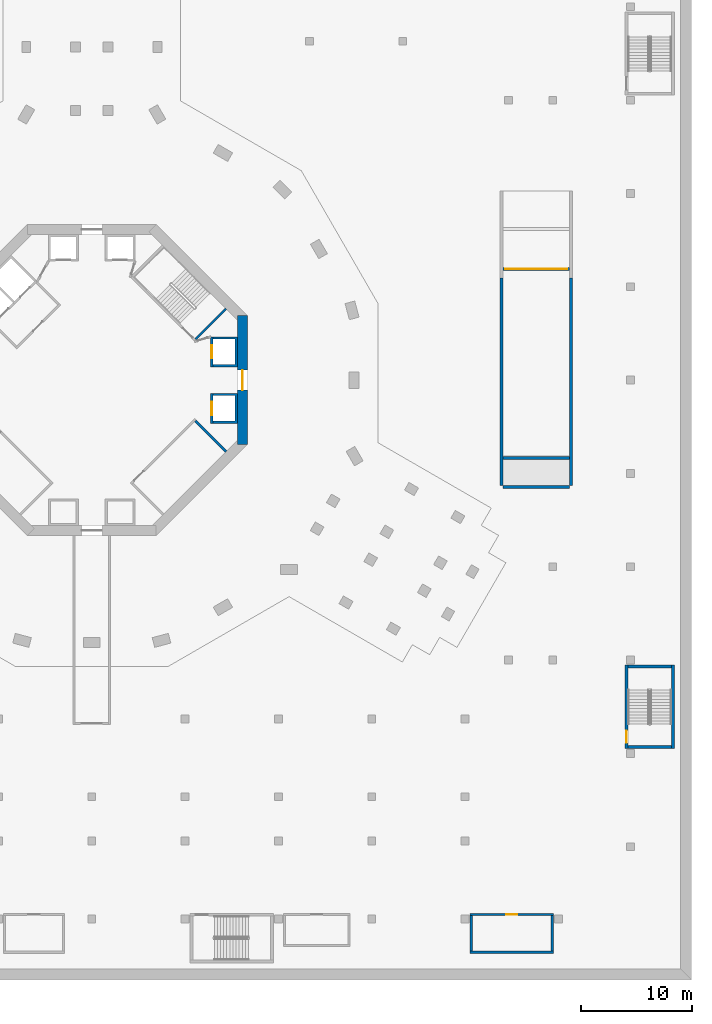
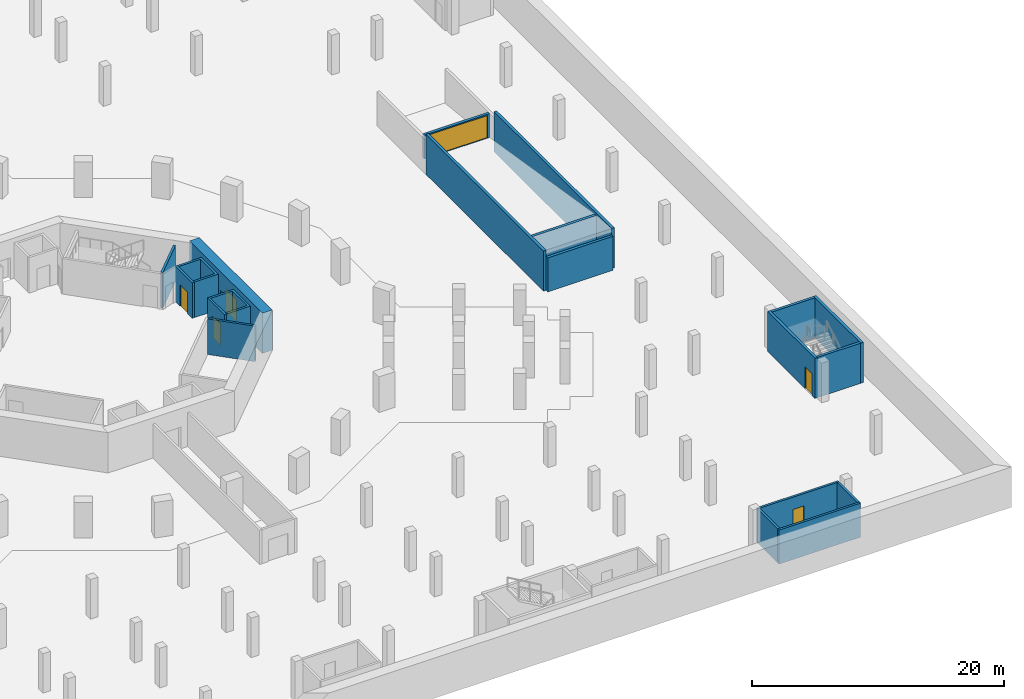
# One storey, part 8 of 25: 20 walls, 6 doors, 6 openings.
"""IFC4 building model written with IfcOpenShell, lengths in metres."""

from ifc_helpers import new_model, si_unit, direction, frame, frame_2d, origin, place, context, subcontext, project, spatial, polyline, rectangle, outline, extrude, material, layer, layer_set, type_object, element, fill, save


model = new_model("IFC4")

# Units and contexts
model_context = context("Model", 3, precision=1e-05, world=origin(), true_north=direction((0.0, 1.0)))
body_context = subcontext(model_context, "Body", "Model", "MODEL_VIEW")
ifc_project = project(units=[si_unit("LENGTHUNIT", "METRE"), si_unit("AREAUNIT", "SQUARE_METRE"), si_unit("VOLUMEUNIT", "CUBIC_METRE"), si_unit("PLANEANGLEUNIT", "RADIAN"), si_unit("MASSUNIT", "GRAM", prefix="KILO")], contexts=[model_context])

# Site, building, storey
site_placement = place(None, origin())
site = spatial("IfcSite", under=ifc_project, at=site_placement, CompositionType="ELEMENT")
building_placement = place(site_placement, origin())
building = spatial("IfcBuilding", under=site, at=building_placement, Name="Verdalira Terraces Hotel", CompositionType="ELEMENT")
storey_placement = place(building_placement, frame((0.0, 0.0, -3.899902)))
storey = spatial("IfcBuildingStorey", under=building, at=storey_placement, Name="B1", CompositionType="ELEMENT", Elevation=-3.89990234375)

# Wall
ifc_material_1 = material(Name="Concrete C50", Category="concrete")
ifc_layer_1 = layer(ifc_material_1, 0.199951171875)
ifc_layer_set_1 = layer_set([ifc_layer_1], Name="Core RC wall 200 C50")
wall_type_1 = type_object("IfcWallType", Name="Core RC wall 200 C50", PredefinedType="SOLIDWALL", material=ifc_layer_set_1)
wall_1_placement = place(storey_placement, origin())
element("IfcWall", 1, at=wall_1_placement, inside=storey, type_object=wall_type_1, Name="B1 shaft wall E1", PredefinedType="SOLIDWALL", context=body_context, shape_type="SweptSolid", body=[
    extrude(outline(polyline([(13.100098, -3.899902), (10.899902, -3.899902), (10.899902, -3.699951), (12.899902, -3.699951), (12.899902, -1.399902), (10.899902, -1.399902), (10.899902, -1.199951), (13.100098, -1.199951), (13.100098, -3.899902)])), origin(), (0.0, 0.0, 1.0), 3.449951),
])

# Wall, opening, door
wall_2_placement = place(storey_placement, frame((10.800049, -1.199951, 0.0), z_axis=(0.0, 0.0, 1.0), x_axis=(0.0, -1.0, 0.0)))
wall_2 = element("IfcWall", 2, at=wall_2_placement, inside=storey, type_object=wall_type_1, Name="B1 shaft front wall E1", PredefinedType="SOLIDWALL", context=body_context, shape_type="SweptSolid", body=[
    extrude(rectangle(XDim=2.699951, YDim=0.199951, at=frame_2d((1.350098, 0.0))), origin(), (0.0, 0.0, 1.0), 3.449951),
])
opening_1_placement = place(wall_2_placement, frame((0.75, 0.0, 0.0)))
opening_1 = element("IfcOpeningElement", 3, at=opening_1_placement, cuts=wall_2, Name="Opening LD-B1-801", PredefinedType="OPENING", context=body_context, shape_type="SweptSolid", body=[
    extrude(rectangle(XDim=1.199951, YDim=2.100098, at=frame_2d((0.600098, 1.050049))), frame((0.0, 0.109863, 0.0), z_axis=(0.0, -1.0, 0.0), x_axis=(1.0, 0.0, 0.0)), (0.0, 0.0, 1.0), 0.219971),
])
ifc_material_2 = material(Name="Stainless steel", Category="steel")
door_type_1 = type_object("IfcDoorType", Name="Landing door 1200 x 2100", OperationType="NOTDEFINED", PredefinedType="DOOR", material=ifc_material_2)
door_1_placement = place(opening_1_placement, origin())
door_1 = element("IfcDoor", 4, at=door_1_placement, inside=storey, type_object=door_type_1, Name="Lift landing door LR1 B1", OperationType="DOUBLE_DOOR_SLIDING", OverallHeight=2.10009765625, OverallWidth=1.199951171875, PredefinedType="DOOR", context=body_context, shape_type="SweptSolid", body=[
    extrude(rectangle(XDim=1.199951, YDim=2.100098, at=frame_2d((0.600098, 1.050049))), frame((0.0, 0.024902, 0.0), z_axis=(0.0, -1.0, 0.0), x_axis=(1.0, 0.0, 0.0)), (0.0, 0.0, 1.0), 0.050049),
])
fill(opening_1, door_1)

# Wall
wall_3_placement = place(storey_placement, origin())
element("IfcWall", 5, at=wall_3_placement, inside=storey, type_object=wall_type_1, Name="B1 shaft wall E2", PredefinedType="SOLIDWALL", context=body_context, shape_type="SweptSolid", body=[
    extrude(outline(polyline([(13.100098, 3.899902), (13.100098, 1.199951), (10.899902, 1.199951), (10.899902, 1.399902), (12.899902, 1.399902), (12.899902, 3.699951), (10.899902, 3.699951), (10.899902, 3.899902), (13.100098, 3.899902)])), origin(), (0.0, 0.0, 1.0), 3.449951),
])

# Wall, opening, door
wall_4_placement = place(storey_placement, frame((10.800049, 1.199951, 0.0), z_axis=(0.0, 0.0, 1.0), x_axis=(0.0, 1.0, 0.0)))
wall_4 = element("IfcWall", 6, at=wall_4_placement, inside=storey, type_object=wall_type_1, Name="B1 shaft front wall E2", PredefinedType="SOLIDWALL", context=body_context, shape_type="SweptSolid", body=[
    extrude(rectangle(XDim=2.699951, YDim=0.199951, at=frame_2d((1.350098, 0.0))), origin(), (0.0, 0.0, 1.0), 3.449951),
])
opening_2_placement = place(wall_4_placement, frame((0.75, 0.0, 0.0)))
opening_2 = element("IfcOpeningElement", 7, at=opening_2_placement, cuts=wall_4, Name="Opening LD-B1-802", PredefinedType="OPENING", context=body_context, shape_type="SweptSolid", body=[
    extrude(rectangle(XDim=1.199951, YDim=2.100098, at=frame_2d((0.600098, 1.050049))), frame((0.0, 0.109863, 0.0), z_axis=(0.0, -1.0, 0.0), x_axis=(1.0, 0.0, 0.0)), (0.0, 0.0, 1.0), 0.219971),
])
door_2_placement = place(opening_2_placement, origin())
door_2 = element("IfcDoor", 8, at=door_2_placement, inside=storey, type_object=door_type_1, Name="Lift landing door LR2 B1", OperationType="DOUBLE_DOOR_SLIDING", OverallHeight=2.10009765625, OverallWidth=1.199951171875, PredefinedType="DOOR", context=body_context, shape_type="SweptSolid", body=[
    extrude(rectangle(XDim=1.199951, YDim=2.100098, at=frame_2d((0.600098, 1.050049))), frame((0.0, 0.024902, 0.0), z_axis=(0.0, -1.0, 0.0), x_axis=(1.0, 0.0, 0.0)), (0.0, 0.0, 1.0), 0.050049),
])
fill(opening_2, door_2)

# Walls
for number, where, z_axis, x_axis, name in (
    (9, (9.33374, 3.677002, 0.0), (0.0, 0.0, 1.0), (0.707106781, 0.707106781, 0.0), "B1 stair ST1 end wall 1"),
    (10, (9.33374, -3.677002, 0.0), (0.0, 0.0, 1.0), (0.707106781, -0.707106781, 0.0), "B1 ST3 plant room wall"),
):
    element("IfcWall", number, at=place(storey_placement, frame(where, z_axis=z_axis, x_axis=x_axis)), inside=storey, type_object=wall_type_1, Name=name, PredefinedType="SOLIDWALL", context=body_context, shape_type="SweptSolid", body=[
        extrude(rectangle(XDim=3.900146, YDim=0.199951, at=frame_2d((1.950195, 0.0))), origin(), (0.0, 0.0, 1.0), 3.449951),
    ])

# Wall, opening, door
ifc_material_3 = material(Name="Concrete C70", Category="concrete")
ifc_layer_2 = layer(ifc_material_3, 0.89990234375)
ifc_layer_set_2 = layer_set([ifc_layer_2], Name="Core wall 900 C70")
wall_type_2 = type_object("IfcWallType", Name="Core wall 900 C70", PredefinedType="SHEAR", material=ifc_layer_set_2)
wall_5_placement = place(storey_placement, frame((13.550049, -5.799072, 0.0), z_axis=(0.0, 0.0, 1.0), x_axis=(0.0, 1.0, 0.0)))
wall_5 = element("IfcWall", 11, at=wall_5_placement, inside=storey, type_object=wall_type_2, Name="Core wall CW-B1-1", PredefinedType="SHEAR", context=body_context, shape_type="SweptSolid", body=[
    extrude(rectangle(XDim=11.598145, YDim=0.899902, at=frame_2d((5.799072, 0.0))), origin(), (0.0, 0.0, 1.0), 3.899902),
])
opening_3_placement = place(wall_5_placement, frame((4.898926, 0.0, 0.0)))
opening_3 = element("IfcOpeningElement", 12, at=opening_3_placement, cuts=wall_5, Name="Opening B1-810", PredefinedType="OPENING", context=body_context, shape_type="SweptSolid", body=[
    extrude(rectangle(XDim=1.800049, YDim=2.100098, at=frame_2d((0.899902, 1.050049))), frame((0.0, 0.459961, 0.0), z_axis=(0.0, -1.0, 0.0), x_axis=(1.0, 0.0, 0.0)), (0.0, 0.0, 1.0), 0.919922),
])
ifc_material_4 = material(Name="Steel fire door", Category="steel")
door_type_2 = type_object("IfcDoorType", Name="Core entry door pair 1800 x 2100", OperationType="NOTDEFINED", PredefinedType="DOOR", material=ifc_material_4)
door_3_placement = place(opening_3_placement, origin())
door_3 = element("IfcDoor", 13, at=door_3_placement, inside=storey, type_object=door_type_2, Name="Core entry door B1 0", OperationType="DOUBLE_DOOR_SINGLE_SWING", OverallHeight=2.10009765625, OverallWidth=1.800048828125, PredefinedType="DOOR", context=body_context, shape_type="SweptSolid", body=[
    extrude(rectangle(XDim=1.800049, YDim=2.100098, at=frame_2d((0.899902, 1.050049))), frame((0.0, 0.024902, 0.0), z_axis=(0.0, -1.0, 0.0), x_axis=(1.0, 0.0, 0.0)), (0.0, 0.0, 1.0), 0.050049),
])
fill(opening_3, door_3)

# Wall
ifc_material_5 = material(Name="Concrete C40", Category="concrete")
ifc_layer_3 = layer(ifc_material_5, 0.25)
ifc_layer_set_3 = layer_set([ifc_layer_3], Name="Ramp end wall 250 C40")
wall_type_3 = type_object("IfcWallType", Name="Ramp end wall 250 C40", PredefinedType="SOLIDWALL", material=ifc_layer_set_3)
wall_6_placement = place(storey_placement, frame((37.0, -9.625, 0.0), z_axis=(0.0, 0.0, 1.0), x_axis=(1.0, 0.0, 0.0)))
element("IfcWall", 14, at=wall_6_placement, inside=storey, type_object=wall_type_3, Name="Street ramp end wall", PredefinedType="SOLIDWALL", context=body_context, shape_type="SweptSolid", body=[
    extrude(rectangle(XDim=6.0, YDim=0.25, at=frame_2d((3.0, 0.0))), origin(), (0.0, 0.0, 1.0), 3.299805),
])

# Wall, opening, door
ifc_material_6 = material(Name="Concrete C40", Category="concrete")
ifc_layer_4 = layer(ifc_material_6, 0.25)
ifc_layer_set_4 = layer_set([ifc_layer_4], Name="Ramp gate wall 250 C40")
wall_type_4 = type_object("IfcWallType", Name="Ramp gate wall 250 C40", PredefinedType="PARTITIONING", material=ifc_layer_set_4)
wall_7_placement = place(storey_placement, frame((37.0, 10.0, 0.979492), z_axis=(0.0, 0.0, 1.0), x_axis=(1.0, 0.0, 0.0)))
wall_7 = element("IfcWall", 15, at=wall_7_placement, inside=storey, type_object=wall_type_4, Name="Street ramp gate wall", PredefinedType="PARTITIONING", context=body_context, shape_type="SweptSolid", body=[
    extrude(rectangle(XDim=6.0, YDim=0.25, at=frame_2d((3.0, 0.0))), origin(), (0.0, 0.0, 1.0), 2.320312),
])
opening_4_placement = place(wall_7_placement, frame((0.199951, 0.0, 0.0)))
opening_4 = element("IfcOpeningElement", 16, at=opening_4_placement, cuts=wall_7, Name="Opening B1-D614", PredefinedType="OPENING", context=body_context, shape_type="SweptSolid", body=[
    extrude(rectangle(XDim=5.600098, YDim=2.199951, at=frame_2d((2.800049, 1.100098))), frame((0.0, 0.13501, 0.0), z_axis=(0.0, -1.0, 0.0), x_axis=(1.0, 0.0, 0.0)), (0.0, 0.0, 1.0), 0.27002),
])
ifc_material_7 = material(Name="Galvanised steel", Category="steel")
door_type_3 = type_object("IfcDoorType", Name="Vehicle roller shutter 5600 x 2200", OperationType="ROLLINGUP", PredefinedType="DOOR", material=ifc_material_7)
door_4_placement = place(opening_4_placement, origin())
door_4 = element("IfcDoor", 17, at=door_4_placement, inside=storey, type_object=door_type_3, Name="Vehicle gate", OperationType="ROLLINGUP", OverallHeight=2.199951171875, OverallWidth=5.60009765625, PredefinedType="DOOR", context=body_context, shape_type="SweptSolid", body=[
    extrude(rectangle(XDim=5.600098, YDim=2.199951, at=frame_2d((2.800049, 1.100098))), frame((0.0, 0.024902, 0.0), z_axis=(0.0, -1.0, 0.0), x_axis=(1.0, 0.0, 0.0)), (0.0, 0.0, 1.0), 0.050049),
])
fill(opening_4, door_4)

# Walls
ifc_material_8 = material(Name="Concrete C40", Category="concrete")
ifc_layer_5 = layer(ifc_material_8, 0.25)
ifc_layer_set_5 = layer_set([ifc_layer_5], Name="Ramp joint wall 250 C40")
wall_type_5 = type_object("IfcWallType", Name="Ramp joint wall 250 C40", PredefinedType="SOLIDWALL", material=ifc_layer_set_5)
wall_8_placement = place(storey_placement, frame((37.0, -7.0, 0.0), z_axis=(0.0, 0.0, 1.0), x_axis=(1.0, 0.0, 0.0)))
element("IfcWall", 18, at=wall_8_placement, inside=storey, type_object=wall_type_5, Name="Street ramp joint wall", PredefinedType="SOLIDWALL", context=body_context, shape_type="SweptSolid", body=[
    extrude(rectangle(XDim=6.0, YDim=0.25, at=frame_2d((3.0, 0.0))), origin(), (0.0, 0.0, 1.0), 3.733643),
])
ifc_material_9 = material(Name="Concrete C40", Category="concrete")
ifc_layer_6 = layer(ifc_material_9, 0.25)
ifc_layer_set_6 = layer_set([ifc_layer_6], Name="Ramp side wall open 250 C40")
wall_type_6 = type_object("IfcWallType", Name="Ramp side wall open 250 C40", PredefinedType="SOLIDWALL", material=ifc_layer_set_6)
for number, where, z_axis, x_axis, name in (
    (19, (36.875, -9.5, 0.0), (0.0, 0.0, 1.0), (0.0, 1.0, 0.0), "Street ramp side wall W"),
    (20, (43.125, -9.5, 0.0), (0.0, 0.0, 1.0), (0.0, 1.0, 0.0), "Street ramp side wall E"),
):
    element("IfcWall", number, at=place(storey_placement, frame(where, z_axis=z_axis, x_axis=x_axis)), inside=storey, type_object=wall_type_6, Name=name, PredefinedType="SOLIDWALL", context=body_context, shape_type="SweptSolid", body=[
        extrude(rectangle(XDim=18.699951, YDim=0.25, at=frame_2d((9.350098, 0.0))), origin(), (0.0, 0.0, 1.0), 3.899902),
    ])

# Wall, opening, door
ifc_material_10 = material(Name="Concrete C40", Category="concrete")
ifc_layer_7 = layer(ifc_material_10, 0.199951171875)
ifc_layer_set_7 = layer_set([ifc_layer_7], Name="Service room wall 200 C40")
wall_type_7 = type_object("IfcWallType", Name="Service room wall 200 C40", PredefinedType="PARTITIONING", material=ifc_layer_set_7)
wall_9_placement = place(storey_placement, frame((34.050049, -48.100098, 0.0), z_axis=(0.0, 0.0, 1.0), x_axis=(1.0, 0.0, 0.0)))
wall_9 = element("IfcWall", 21, at=wall_9_placement, inside=storey, type_object=wall_type_7, Name="Store wall", PredefinedType="PARTITIONING", context=body_context, shape_type="SweptSolid", body=[
    extrude(rectangle(XDim=7.5, YDim=0.199951, at=frame_2d((3.75, 0.0))), origin(), (0.0, 0.0, 1.0), 3.299805),
])
opening_5_placement = place(wall_9_placement, frame((3.25, 0.0, 0.0)))
opening_5 = element("IfcOpeningElement", 22, at=opening_5_placement, cuts=wall_9, Name="Opening B1-D612", PredefinedType="OPENING", context=body_context, shape_type="SweptSolid", body=[
    extrude(rectangle(XDim=1.0, YDim=2.100098, at=frame_2d((0.5, 1.050049))), frame((0.0, 0.109863, 0.0), z_axis=(0.0, -1.0, 0.0), x_axis=(1.0, 0.0, 0.0)), (0.0, 0.0, 1.0), 0.219971),
])
ifc_material_11 = material(Name="Steel fire door", Category="steel")
door_type_4 = type_object("IfcDoorType", Name="Service room door 1000 x 2100", OperationType="SINGLE_SWING_LEFT", PredefinedType="DOOR", material=ifc_material_11)
door_5_placement = place(opening_5_placement, origin())
door_5 = element("IfcDoor", 23, at=door_5_placement, inside=storey, type_object=door_type_4, Name="Store door", OperationType="SINGLE_SWING_LEFT", OverallHeight=2.10009765625, OverallWidth=1.0, PredefinedType="DOOR", context=body_context, shape_type="SweptSolid", body=[
    extrude(rectangle(XDim=1.0, YDim=2.100098, at=frame_2d((0.5, 1.050049))), frame((0.0, 0.024902, 0.0), z_axis=(0.0, -1.0, 0.0), x_axis=(1.0, 0.0, 0.0)), (0.0, 0.0, 1.0), 0.050049),
])
fill(opening_5, door_5)

# Walls
wall_10_placement = place(storey_placement, frame((34.050049, -51.5, 0.0), z_axis=(0.0, 0.0, 1.0), x_axis=(1.0, 0.0, 0.0)))
element("IfcWall", 24, at=wall_10_placement, inside=storey, type_object=wall_type_7, Name="Store wall", PredefinedType="PARTITIONING", context=body_context, shape_type="SweptSolid", body=[
    extrude(rectangle(XDim=7.5, YDim=0.199951, at=frame_2d((3.75, 0.0))), origin(), (0.0, 0.0, 1.0), 3.299805),
])
for number, where, z_axis, x_axis, name in (
    (25, (34.149902, -51.399902, 0.0), (0.0, 0.0, 1.0), (0.0, 1.0, 0.0), "Store wall"),
    (26, (41.449951, -51.399902, 0.0), (0.0, 0.0, 1.0), (0.0, 1.0, 0.0), "Store wall"),
):
    element("IfcWall", number, at=place(storey_placement, frame(where, z_axis=z_axis, x_axis=x_axis)), inside=storey, type_object=wall_type_7, Name=name, PredefinedType="PARTITIONING", context=body_context, shape_type="SweptSolid", body=[
        extrude(rectangle(XDim=3.199951, YDim=0.199951, at=frame_2d((1.600098, 0.0))), origin(), (0.0, 0.0, 1.0), 3.299805),
    ])

# Wall, opening, door
ifc_material_12 = material(Name="Concrete C40", Category="concrete")
ifc_layer_8 = layer(ifc_material_12, 0.25)
ifc_layer_set_8 = layer_set([ifc_layer_8], Name="Stair enclosure wall 250 C40")
wall_type_8 = type_object("IfcWallType", Name="Stair enclosure wall 250 C40", PredefinedType="SOLIDWALL", material=ifc_layer_set_8)
wall_11_placement = place(storey_placement, frame((48.125, -33.149902, 0.0), z_axis=(0.0, 0.0, 1.0), x_axis=(0.0, 1.0, 0.0)))
wall_11 = element("IfcWall", 27, at=wall_11_placement, inside=storey, type_object=wall_type_8, Name="Stair BS2 enclosure wall", PredefinedType="SOLIDWALL", context=body_context, shape_type="SweptSolid", body=[
    extrude(rectangle(XDim=7.5, YDim=0.25, at=frame_2d((3.75, 0.0))), origin(), (0.0, 0.0, 1.0), 3.899902),
])
opening_6_placement = place(wall_11_placement, frame((0.5, 0.0, 0.0)))
opening_6 = element("IfcOpeningElement", 28, at=opening_6_placement, cuts=wall_11, Name="Opening B1-D602", PredefinedType="OPENING", context=body_context, shape_type="SweptSolid", body=[
    extrude(rectangle(XDim=1.100098, YDim=2.100098, at=frame_2d((0.550049, 1.050049))), frame((0.0, 0.13501, 0.0), z_axis=(0.0, -1.0, 0.0), x_axis=(1.0, 0.0, 0.0)), (0.0, 0.0, 1.0), 0.27002),
])
ifc_material_13 = material(Name="Steel fire door", Category="steel")
door_type_5 = type_object("IfcDoorType", Name="Stair door 1100 x 2100", OperationType="SINGLE_SWING_LEFT", PredefinedType="DOOR", material=ifc_material_13)
door_6_placement = place(opening_6_placement, origin())
door_6 = element("IfcDoor", 29, at=door_6_placement, inside=storey, type_object=door_type_5, Name="Stair BS2 door", OperationType="SINGLE_SWING_RIGHT", OverallHeight=2.10009765625, OverallWidth=1.10009765625, PredefinedType="DOOR", context=body_context, shape_type="SweptSolid", body=[
    extrude(rectangle(XDim=1.100098, YDim=2.100098, at=frame_2d((0.550049, 1.050049))), frame((0.0, 0.024902, 0.0), z_axis=(0.0, -1.0, 0.0), x_axis=(1.0, 0.0, 0.0)), (0.0, 0.0, 1.0), 0.050049),
])
fill(opening_6, door_6)

# Walls
wall_12_placement = place(storey_placement, frame((52.324951, -33.149902, 0.0), z_axis=(0.0, 0.0, 1.0), x_axis=(0.0, 1.0, 0.0)))
element("IfcWall", 30, at=wall_12_placement, inside=storey, type_object=wall_type_8, Name="Stair BS2 enclosure wall", PredefinedType="SOLIDWALL", context=body_context, shape_type="SweptSolid", body=[
    extrude(rectangle(XDim=7.5, YDim=0.25, at=frame_2d((3.75, 0.0))), origin(), (0.0, 0.0, 1.0), 3.899902),
])
for number, where, z_axis, x_axis, name in (
    (31, (52.199951, -33.024902, 0.0), (0.0, 0.0, 1.0), (-1.0, 0.0, 0.0), "Stair BS2 enclosure wall"),
    (32, (52.199951, -25.774902, 0.0), (0.0, 0.0, 1.0), (-1.0, 0.0, 0.0), "Stair BS2 enclosure wall"),
):
    element("IfcWall", number, at=place(storey_placement, frame(where, z_axis=z_axis, x_axis=x_axis)), inside=storey, type_object=wall_type_8, Name=name, PredefinedType="SOLIDWALL", context=body_context, shape_type="SweptSolid", body=[
        extrude(rectangle(XDim=3.949951, YDim=0.25, at=frame_2d((1.975098, 0.0))), origin(), (0.0, 0.0, 1.0), 3.899902),
    ])

save(model, "model.ifc")
